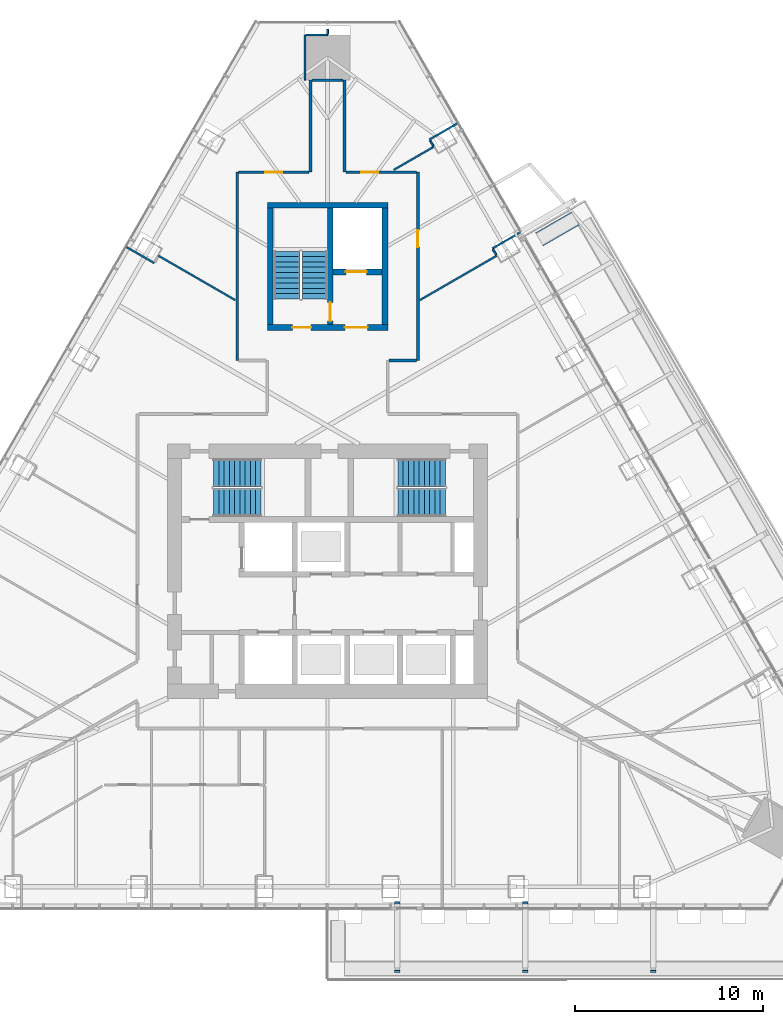
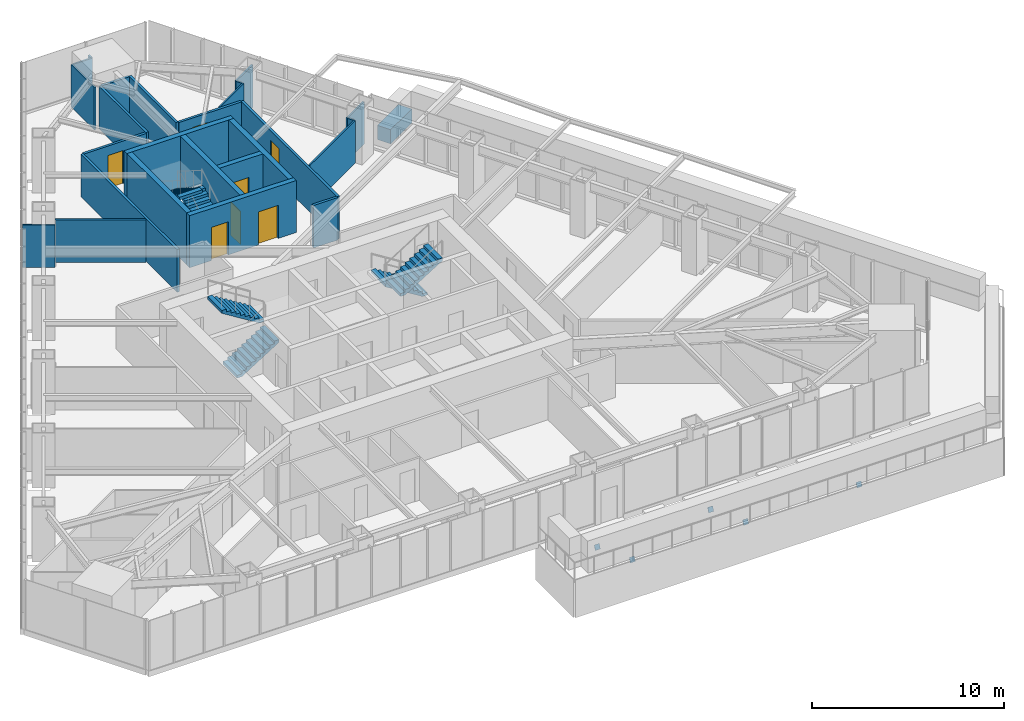
# One storey, part 13 of 17: 26 walls, 7 doors, 6 stair flights, 5 discrete accessories, 7 openings, 3 elements without a shape of their own.
"""IFC4 building model written with IfcOpenShell, lengths in metres."""

import ifcopenshell
import ifcopenshell.guid

model = None  # the IFC model being written
_history = None  # IfcOwnerHistory: only IFC2X3 demands one
_inside = {}  # id of a spatial element -> (the spatial element, [elements in it])
_under = {}  # id of a project, library or spatial element -> (it, [spatial elements below it])
_declared = {}  # id of a project -> (the project, [libraries it declares])
_typed = {}  # id of a type object -> (the type object, [elements of that type])
_made_of = {}  # id of a material, layer set ... -> (it, [elements and type objects made of it])


def new_model(schema):
    """Start an empty IFC model of exactly this schema.

    Asked for "IFC4X3", IfcOpenShell would pick the latest addendum, in which some entities
    have other attributes; the version numbers below select the first issue.
    IFC2X3 requires an IfcOwnerHistory on every rooted entity: one is made here for all.
    """
    global model, _history
    if schema == "IFC4X3":
        model = ifcopenshell.file(schema_version=(4, 3, 0, 0))
    else:
        model = ifcopenshell.file(schema=schema)
    _inside.clear()
    _under.clear()
    _declared.clear()
    _typed.clear()
    _made_of.clear()
    _history = None
    if model.schema == "IFC2X3":
        org = make("IfcOrganization", Name="unknown")
        user = make(
            "IfcPersonAndOrganization",
            ThePerson=make("IfcPerson", FamilyName="unknown"),
            TheOrganization=org,
        )
        app = make(
            "IfcApplication",
            ApplicationDeveloper=org,
            Version="unknown",
            ApplicationFullName="unknown",
            ApplicationIdentifier="unknown",
        )
        _history = make(
            "IfcOwnerHistory",
            OwningUser=user,
            OwningApplication=app,
            ChangeAction="ADDED",
            CreationDate=0,
        )
    return model


def make(cls, **values):
    """One entity of the class cls with the attributes given. An attribute that is None is left unset."""
    return model.create_entity(
        cls, **{name: value for name, value in values.items() if value is not None}
    )


def rooted(cls, **values):
    """An entity with a GlobalId (a new one), such as an element, a storey or a relation."""
    return make(cls, GlobalId=ifcopenshell.guid.new(), OwnerHistory=_history, **values)


def si_unit(unit_type, name, prefix=None):
    """IfcSIUnit, for example si_unit("LENGTHUNIT", "METRE", prefix="MILLI")."""
    return make("IfcSIUnit", UnitType=unit_type, Prefix=prefix, Name=name)


def assignment(units):
    """IfcUnitAssignment: the units of a project."""
    return None if units is None else make("IfcUnitAssignment", Units=units)


def point(xyz):
    """IfcCartesianPoint."""
    return None if xyz is None else make("IfcCartesianPoint", Coordinates=xyz)


def direction(xyz):
    """IfcDirection."""
    return None if xyz is None else make("IfcDirection", DirectionRatios=xyz)


def frame(location, z_axis=None, x_axis=None):
    """IfcAxis2Placement3D, a coordinate frame: its origin and axes. An axis left out is left unset."""
    return make(
        "IfcAxis2Placement3D",
        Location=point(location),
        Axis=direction(z_axis),
        RefDirection=direction(x_axis),
    )


def frame_2d(location, x_axis=None):
    """IfcAxis2Placement2D, a coordinate frame in the plane: its origin and x axis."""
    return make(
        "IfcAxis2Placement2D", Location=point(location), RefDirection=direction(x_axis)
    )


def origin():
    """The frame at (0, 0, 0) with its axes left unset."""
    return frame((0.0, 0.0, 0.0))


def place(relative_to, where):
    """IfcLocalPlacement: puts the frame where relative to a parent placement (None: the world)."""
    return make(
        "IfcLocalPlacement", PlacementRelTo=relative_to, RelativePlacement=where
    )


def context(
    kind, dimensions, precision=None, world=None, true_north=None, identifier=None
):
    """IfcGeometricRepresentationContext, for example the 3D "Model" context."""
    return make(
        "IfcGeometricRepresentationContext",
        ContextIdentifier=identifier,
        ContextType=kind,
        CoordinateSpaceDimension=dimensions,
        Precision=precision,
        WorldCoordinateSystem=world,
        TrueNorth=true_north,
    )


def subcontext(parent, identifier, kind, view, scale=None):
    """IfcGeometricRepresentationSubContext, for example "Body" below "Model"."""
    return make(
        "IfcGeometricRepresentationSubContext",
        ContextIdentifier=identifier,
        ContextType=kind,
        ParentContext=parent,
        TargetScale=scale,
        TargetView=view,
    )


def project(units=None, contexts=None):
    """IfcProject with its units and contexts."""
    return rooted(
        "IfcProject",
        Name="project",
        RepresentationContexts=contexts,
        UnitsInContext=assignment(units),
    )


def spatial(cls, under=None, at=None, **own):
    """A site, building, storey or space (cls), placed at a placement, below another one or the project."""
    s = rooted(cls, ObjectPlacement=at, **own)
    if under is not None:
        _under.setdefault(under.id(), (under, []))[1].append(s)
    return s


def polyline(points):
    """IfcPolyline through the points."""
    return make("IfcPolyline", Points=[point(p) for p in points])


def profile(cls, at=None, kind="AREA", **sizes):
    """A parametric profile (cls). Its sizes go by their IFC names, for example OverallWidth=200.0."""
    return make(cls, ProfileType=kind, Position=at, **sizes)


def rectangle(**sizes):
    """IfcRectangleProfileDef."""
    return profile("IfcRectangleProfileDef", **sizes)


def outline(outer, holes=None, kind="AREA"):
    """IfcArbitraryClosedProfileDef: a profile drawn as a closed curve; with holes, ...WithVoids."""
    if holes is None:
        return make("IfcArbitraryClosedProfileDef", ProfileType=kind, OuterCurve=outer)
    return make(
        "IfcArbitraryProfileDefWithVoids",
        ProfileType=kind,
        OuterCurve=outer,
        InnerCurves=holes,
    )


def extrude(swept, where, along, depth):
    """IfcExtrudedAreaSolid: the profile swept, set in the frame where, extruded along a direction by depth."""
    return make(
        "IfcExtrudedAreaSolid",
        SweptArea=swept,
        Position=where,
        ExtrudedDirection=direction(along),
        Depth=depth,
    )


def shape(context_of_items, identifier, shape_type, items):
    """IfcShapeRepresentation: the items that make up one representation, for example the "Body"."""
    return make(
        "IfcShapeRepresentation",
        ContextOfItems=context_of_items,
        RepresentationIdentifier=identifier,
        RepresentationType=shape_type,
        Items=items,
    )


def material(Name=None, Category=None):
    """IfcMaterial."""
    return make("IfcMaterial", Name=Name, Category=Category)


def layer(
    of_material, thickness, ventilated=None, Name=None, Category=None, Priority=None
):
    """IfcMaterialLayer: one layer of a wall or slab, of a material (None: an air gap)."""
    return make(
        "IfcMaterialLayer",
        Material=of_material,
        LayerThickness=thickness,
        IsVentilated=ventilated,
        Name=Name,
        Category=Category,
        Priority=Priority,
    )


def layer_set(layers, Name=None):
    """IfcMaterialLayerSet."""
    return make("IfcMaterialLayerSet", MaterialLayers=layers, LayerSetName=Name)


def made_of(thing, what):
    """Note that an element or type object is made of a material, layer set ...; save() writes the relation."""
    if what is not None:
        _made_of.setdefault(what.id(), (what, []))[1].append(thing)
    return thing


def type_object(cls, material=None, **own):
    """A type object (cls), such as IfcWallType, which elements share."""
    return made_of(rooted(cls, **own), material)


def element(
    cls,
    number,
    at=None,
    inside=None,
    cuts=None,
    type_object=None,
    material=None,
    context=None,
    identifier="Body",
    shape_type=None,
    held_by="IfcProductDefinitionShape",
    body=None,
    shapes=None,
    **own,
):
    """One element of the class cls, such as IfcWall. Its Tag is "e" and its number.

    at: its placement. inside: the storey or other place that contains it. cuts: it is an
    opening in that element (IfcRelVoidsElement). A single representation is given by context,
    identifier, shape_type and body (its items); several are given by shapes. held_by: the class
    of the entity that holds the representations. save() writes the other relations.
    """
    e = rooted(cls, Tag="e%d" % number, ObjectPlacement=at, **own)
    if body is not None:
        shapes = [shape(context, identifier, shape_type, body)]
    if shapes is not None:
        e.Representation = make(held_by, Representations=shapes)
    if inside is not None:
        _inside.setdefault(inside.id(), (inside, []))[1].append(e)
    if cuts is not None:
        rooted(
            "IfcRelVoidsElement", RelatingBuildingElement=cuts, RelatedOpeningElement=e
        )
    if type_object is not None:
        _typed.setdefault(type_object.id(), (type_object, []))[1].append(e)
    return made_of(e, material)


def fill(opening, filler):
    """IfcRelFillsElement: the door or window that sits in an opening."""
    return rooted(
        "IfcRelFillsElement",
        RelatingOpeningElement=opening,
        RelatedBuildingElement=filler,
    )


def aggregate(whole, parts):
    """IfcRelAggregates: a whole, such as a stair, and the parts it consists of."""
    return rooted("IfcRelAggregates", RelatingObject=whole, RelatedObjects=parts)


def save(model, path):
    """Write the relations noted so far, then the file.

    IfcRelAggregates (storeys below a building ...), IfcRelContainedInSpatialStructure (elements
    in a storey), IfcRelDefinesByType, IfcRelAssociatesMaterial and IfcRelDeclares: one each for
    every whole, place, type object, material and project.
    """
    for whole, parts in _under.values():
        aggregate(whole, parts)
    for where, things in _inside.values():
        rooted(
            "IfcRelContainedInSpatialStructure",
            RelatedElements=things,
            RelatingStructure=where,
        )
    for kind, things in _typed.values():
        rooted("IfcRelDefinesByType", RelatedObjects=things, RelatingType=kind)
    for what, things in _made_of.values():
        rooted("IfcRelAssociatesMaterial", RelatedObjects=things, RelatingMaterial=what)
    for by, libraries in _declared.values():
        rooted("IfcRelDeclares", RelatingContext=by, RelatedDefinitions=libraries)
    model.write(path)


model = new_model("IFC4")

# Units and contexts
model_context = context("Model", 3, precision=1e-05, world=origin(), true_north=direction((0.0, 1.0)))
body_context = subcontext(model_context, "Body", "Model", "MODEL_VIEW")
ifc_project = project(units=[si_unit("LENGTHUNIT", "METRE"), si_unit("AREAUNIT", "SQUARE_METRE"), si_unit("VOLUMEUNIT", "CUBIC_METRE"), si_unit("PLANEANGLEUNIT", "RADIAN"), si_unit("MASSUNIT", "GRAM", prefix="KILO")], contexts=[model_context])

# Site, building, storey
site_placement = place(None, origin())
site = spatial("IfcSite", under=ifc_project, at=site_placement, CompositionType="ELEMENT")
building_placement = place(site_placement, origin())
building = spatial("IfcBuilding", under=site, at=building_placement, Name="Firuza Gate Tower and Library", CompositionType="ELEMENT")
storey_placement = place(building_placement, frame((0.0, 0.0, 263.60009765625)))
storey = spatial("IfcBuildingStorey", under=building, at=storey_placement, Name="L62", CompositionType="ELEMENT", Elevation=263.60009765625)

# Wall, openings, doors
ifc_material_1 = material(Name="Concrete C60/75", Category="concrete")
ifc_layer_1 = layer(ifc_material_1, 0.300048828125)
ifc_layer_set_1 = layer_set([ifc_layer_1], Name="Core wall 300 C60/75")
wall_type_1 = type_object("IfcWallType", Name="Core wall 300 C60/75", PredefinedType="SHEAR", material=ifc_layer_set_1)
wall_1_placement = place(storey_placement, frame((71.800048828125, 87.949951171875, 0.0), z_axis=(0.0, 0.0, 1.0), x_axis=(1.0, 0.0, 0.0)))
wall_1 = element("IfcWall", 1, at=wall_1_placement, inside=storey, type_object=wall_type_1, Name="Core wall L62 18", PredefinedType="SHEAR", context=body_context, shape_type="SweptSolid", body=[
    extrude(rectangle(XDim=6.39990234375, YDim=0.300048828125, at=frame_2d((3.199951171875, 0.0))), origin(), (0.0, 0.0, 1.0), 3.2998046875),
])
opening_1_placement = place(wall_1_placement, frame((1.324951171875, 0.0, 0.0)))
opening_1 = element("IfcOpeningElement", 2, at=opening_1_placement, cuts=wall_1, Name="Opening L62-K11", PredefinedType="OPENING", context=body_context, shape_type="SweptSolid", body=[
    extrude(rectangle(XDim=1.0, YDim=2.10009765625, at=frame_2d((0.5, 1.050048828125))), frame((0.0, 0.16015625, 0.0), z_axis=(0.0, -1.0, 0.0), x_axis=(1.0, 0.0, 0.0)), (0.0, 0.0, 1.0), 0.320068359375),
])
opening_2_placement = place(wall_1_placement, frame((4.125, 0.0, 0.0)))
opening_2 = element("IfcOpeningElement", 3, at=opening_2_placement, cuts=wall_1, Name="Opening L62-K13", PredefinedType="OPENING", context=body_context, shape_type="SweptSolid", body=[
    extrude(rectangle(XDim=1.199951171875, YDim=2.10009765625, at=frame_2d((0.60009765625, 1.050048828125))), frame((0.0, 0.16015625, 0.0), z_axis=(0.0, -1.0, 0.0), x_axis=(1.0, 0.0, 0.0)), (0.0, 0.0, 1.0), 0.320068359375),
])
ifc_material_2 = material(Name="Steel", Category="steel")
door_type_1 = type_object("IfcDoorType", Name="Fire door 1000x2100 FD90", OperationType="NOTDEFINED", PredefinedType="DOOR", material=ifc_material_2)
door_1_placement = place(opening_1_placement, origin())
door_1 = element("IfcDoor", 4, at=door_1_placement, inside=storey, type_object=door_type_1, Name="Door L62-K11", OperationType="SINGLE_SWING_RIGHT", OverallHeight=2.10009765625, OverallWidth=1.0, PredefinedType="DOOR", context=body_context, shape_type="SweptSolid", body=[
    extrude(rectangle(XDim=1.0, YDim=2.10009765625, at=frame_2d((0.5, 1.050048828125))), frame((0.0, 0.02490234375, 0.0), z_axis=(0.0, -1.0, 0.0), x_axis=(1.0, 0.0, 0.0)), (0.0, 0.0, 1.0), 0.050048828125),
])
fill(opening_1, door_1)
ifc_material_3 = material(Name="Steel", Category="steel")
door_type_2 = type_object("IfcDoorType", Name="Fire door 1200x2100 FD30S", OperationType="NOTDEFINED", PredefinedType="DOOR", material=ifc_material_3)
door_2_placement = place(opening_2_placement, origin())
door_2 = element("IfcDoor", 5, at=door_2_placement, inside=storey, type_object=door_type_2, Name="Door L62-K13", OperationType="SINGLE_SWING_RIGHT", OverallHeight=2.10009765625, OverallWidth=1.199951171875, PredefinedType="DOOR", context=body_context, shape_type="SweptSolid", body=[
    extrude(rectangle(XDim=1.199951171875, YDim=2.10009765625, at=frame_2d((0.60009765625, 1.050048828125))), frame((0.0, 0.02490234375, 0.0), z_axis=(0.0, -1.0, 0.0), x_axis=(1.0, 0.0, 0.0)), (0.0, 0.0, 1.0), 0.050048828125),
])
fill(opening_2, door_2)

# Walls
wall_2_placement = place(storey_placement, frame((71.800048828125, 94.449951171875, 0.0), z_axis=(0.0, 0.0, 1.0), x_axis=(1.0, 0.0, 0.0)))
element("IfcWall", 6, at=wall_2_placement, inside=storey, type_object=wall_type_1, Name="Core wall L62 19", PredefinedType="SHEAR", context=body_context, shape_type="SweptSolid", body=[
    extrude(rectangle(XDim=6.39990234375, YDim=0.300048828125, at=frame_2d((3.199951171875, 0.0))), origin(), (0.0, 0.0, 1.0), 3.2998046875),
])
for number, where, z_axis, x_axis, name in (
    (7, (71.949951171875, 88.10009765625, 0.0), (0.0, 0.0, 1.0), (0.0, 1.0, 0.0), "Core wall L62 20"),
    (8, (78.050048828125, 88.10009765625, 0.0), (0.0, 0.0, 1.0), (0.0, 1.0, 0.0), "Core wall L62 21"),
):
    element("IfcWall", number, at=place(storey_placement, frame(where, z_axis=z_axis, x_axis=x_axis)), inside=storey, type_object=wall_type_1, Name=name, PredefinedType="SHEAR", context=body_context, shape_type="SweptSolid", body=[
        extrude(rectangle(XDim=6.199951171875, YDim=0.300048828125, at=frame_2d((3.10009765625, 0.0))), origin(), (0.0, 0.0, 1.0), 3.2998046875),
    ])

# Wall, opening, door
wall_3_placement = place(storey_placement, frame((75.300048828125, 90.89990234375, 0.0), z_axis=(0.0, 0.0, 1.0), x_axis=(1.0, 0.0, 0.0)))
wall_3 = element("IfcWall", 9, at=wall_3_placement, inside=storey, type_object=wall_type_1, Name="Core wall L62 22", PredefinedType="SHEAR", context=body_context, shape_type="SweptSolid", body=[
    extrude(rectangle(XDim=2.599853515625, YDim=0.300048828125, at=frame_2d((1.2998046875, 0.0))), origin(), (0.0, 0.0, 1.0), 3.2998046875),
])
opening_3_placement = place(wall_3_placement, frame((0.675048828125, 0.0, 0.0)))
opening_3 = element("IfcOpeningElement", 10, at=opening_3_placement, cuts=wall_3, Name="Opening LD-SV1-L62", PredefinedType="OPENING", context=body_context, shape_type="SweptSolid", body=[
    extrude(rectangle(XDim=1.10009765625, YDim=2.10009765625, at=frame_2d((0.550048828125, 1.050048828125))), frame((0.0, 0.16015625, 0.0), z_axis=(0.0, -1.0, 0.0), x_axis=(1.0, 0.0, 0.0)), (0.0, 0.0, 1.0), 0.320068359375),
])
ifc_material_4 = material(Name="Stainless steel", Category="steel")
door_type_3 = type_object("IfcDoorType", Name="Lift landing door 1100x2100", OperationType="DOUBLE_DOOR_SLIDING", PredefinedType="DOOR", material=ifc_material_4)
door_3_placement = place(opening_3_placement, origin())
door_3 = element("IfcDoor", 11, at=door_3_placement, inside=storey, type_object=door_type_3, Name="Landing door SV1 L62", OperationType="DOUBLE_DOOR_SLIDING", OverallHeight=2.10009765625, OverallWidth=1.10009765625, PredefinedType="DOOR", context=body_context, shape_type="SweptSolid", body=[
    extrude(rectangle(XDim=1.10009765625, YDim=2.10009765625, at=frame_2d((0.550048828125, 1.050048828125))), frame((0.0, 0.02490234375, 0.0), z_axis=(0.0, -1.0, 0.0), x_axis=(1.0, 0.0, 0.0)), (0.0, 0.0, 1.0), 0.050048828125),
])
fill(opening_3, door_3)

wall_4_placement = place(storey_placement, frame((75.14990234375, 88.10009765625, 0.0), z_axis=(0.0, 0.0, 1.0), x_axis=(0.0, 1.0, 0.0)))
wall_4 = element("IfcWall", 12, at=wall_4_placement, inside=storey, type_object=wall_type_1, Name="Core wall L62 23", PredefinedType="SHEAR", context=body_context, shape_type="SweptSolid", body=[
    extrude(rectangle(XDim=6.199951171875, YDim=0.300048828125, at=frame_2d((3.10009765625, 0.0))), origin(), (0.0, 0.0, 1.0), 3.2998046875),
])
opening_4_placement = place(wall_4_placement, frame((0.18505859375, 0.0, 0.0)))
opening_4 = element("IfcOpeningElement", 13, at=opening_4_placement, cuts=wall_4, Name="Opening L62-K12", PredefinedType="OPENING", context=body_context, shape_type="SweptSolid", body=[
    extrude(rectangle(XDim=1.0, YDim=2.10009765625, at=frame_2d((0.5, 1.050048828125))), frame((0.0, 0.16015625, 0.0), z_axis=(0.0, -1.0, 0.0), x_axis=(1.0, 0.0, 0.0)), (0.0, 0.0, 1.0), 0.320068359375),
])
door_4_placement = place(opening_4_placement, origin())
door_4 = element("IfcDoor", 14, at=door_4_placement, inside=storey, type_object=door_type_1, Name="Door L62-K12", OperationType="SINGLE_SWING_LEFT", OverallHeight=2.10009765625, OverallWidth=1.0, PredefinedType="DOOR", context=body_context, shape_type="SweptSolid", body=[
    extrude(rectangle(XDim=1.0, YDim=2.10009765625, at=frame_2d((0.5, 1.050048828125))), frame((0.0, 0.02490234375, 0.0), z_axis=(0.0, -1.0, 0.0), x_axis=(1.0, 0.0, 0.0)), (0.0, 0.0, 1.0), 0.050048828125),
])
fill(opening_4, door_4)

# Wall
ifc_material_5 = material(Name="Gypsum board partition")
ifc_layer_2 = layer(ifc_material_5, 0.14990234375)
ifc_layer_set_2 = layer_set([ifc_layer_2], Name="Corridor wall 150 double board on steel studs")
wall_type_2 = type_object("IfcWallType", Name="Corridor wall 150 double board on steel studs", PredefinedType="PARTITIONING", material=ifc_layer_set_2)
wall_5_placement = place(storey_placement, frame((78.27490234375, 86.199951171875, 0.0), z_axis=(0.0, 0.0, 1.0), x_axis=(1.0, 0.0, 0.0)))
element("IfcWall", 15, at=wall_5_placement, inside=storey, type_object=wall_type_2, Name="f:L62:w007", PredefinedType="PARTITIONING", context=body_context, shape_type="SweptSolid", body=[
    extrude(rectangle(XDim=1.44970703125, YDim=0.14990234375, at=frame_2d((0.724853515625, 0.0))), origin(), (0.0, 0.0, 1.0), 2.699951171875),
])

# Wall, opening, door
wall_6_placement = place(storey_placement, frame((70.275390625, 96.199951171875, 0.0), z_axis=(0.0, 0.0, 1.0), x_axis=(1.0, 0.0, 0.0)))
wall_6 = element("IfcWall", 16, at=wall_6_placement, inside=storey, type_object=wall_type_2, Name="f:L62:w008", PredefinedType="PARTITIONING", context=body_context, shape_type="SweptSolid", body=[
    extrude(rectangle(XDim=3.74951171875, YDim=0.14990234375, at=frame_2d((1.874755859375, 0.0))), origin(), (0.0, 0.0, 1.0), 2.699951171875),
])
opening_5_placement = place(wall_6_placement, frame((1.4248046875, 0.0, 0.0)))
opening_5 = element("IfcOpeningElement", 17, at=opening_5_placement, cuts=wall_6, Name="Opening L62-06", PredefinedType="OPENING", context=body_context, shape_type="SweptSolid", body=[
    extrude(rectangle(XDim=0.89990234375, YDim=2.10009765625, at=frame_2d((0.449951171875, 1.050048828125))), frame((0.0, 0.0849609375, 0.0), z_axis=(0.0, -1.0, 0.0), x_axis=(1.0, 0.0, 0.0)), (0.0, 0.0, 1.0), 0.169921875),
])
ifc_material_6 = material(Name="Steel door and timber leaf", Category="steel")
door_type_4 = type_object("IfcDoorType", Name="Fire door 900 x 2100 steel frame, timber leaf", OperationType="NOTDEFINED", PredefinedType="DOOR", material=ifc_material_6)
door_5_placement = place(opening_5_placement, origin())
door_5 = element("IfcDoor", 18, at=door_5_placement, inside=storey, type_object=door_type_4, Name="f:L62:d006", OperationType="SINGLE_SWING_RIGHT", OverallHeight=2.10009765625, OverallWidth=0.89990234375, PredefinedType="DOOR", context=body_context, shape_type="SweptSolid", body=[
    extrude(rectangle(XDim=0.89990234375, YDim=2.10009765625, at=frame_2d((0.449951171875, 1.050048828125))), frame((0.0, 0.02490234375, 0.0), z_axis=(0.0, -1.0, 0.0), x_axis=(1.0, 0.0, 0.0)), (0.0, 0.0, 1.0), 0.050048828125),
])
fill(opening_5, door_5)

wall_7_placement = place(storey_placement, frame((75.97509765625, 96.199951171875, 0.0), z_axis=(0.0, 0.0, 1.0), x_axis=(1.0, 0.0, 0.0)))
wall_7 = element("IfcWall", 19, at=wall_7_placement, inside=storey, type_object=wall_type_2, Name="f:L62:w009", PredefinedType="PARTITIONING", context=body_context, shape_type="SweptSolid", body=[
    extrude(rectangle(XDim=3.74951171875, YDim=0.14990234375, at=frame_2d((1.874755859375, 0.0))), origin(), (0.0, 0.0, 1.0), 2.699951171875),
])
opening_6_placement = place(wall_7_placement, frame((0.818603515625, 0.0, 0.0)))
opening_6 = element("IfcOpeningElement", 20, at=opening_6_placement, cuts=wall_7, Name="Opening L62-07", PredefinedType="OPENING", context=body_context, shape_type="SweptSolid", body=[
    extrude(rectangle(XDim=0.89990234375, YDim=2.10009765625, at=frame_2d((0.449951171875, 1.050048828125))), frame((0.0, 0.0849609375, 0.0), z_axis=(0.0, -1.0, 0.0), x_axis=(1.0, 0.0, 0.0)), (0.0, 0.0, 1.0), 0.169921875),
])
door_6_placement = place(opening_6_placement, origin())
door_6 = element("IfcDoor", 21, at=door_6_placement, inside=storey, type_object=door_type_4, Name="f:L62:d007", OperationType="SINGLE_SWING_LEFT", OverallHeight=2.10009765625, OverallWidth=0.89990234375, PredefinedType="DOOR", context=body_context, shape_type="SweptSolid", body=[
    extrude(rectangle(XDim=0.89990234375, YDim=2.10009765625, at=frame_2d((0.449951171875, 1.050048828125))), frame((0.0, 0.02490234375, 0.0), z_axis=(0.0, -1.0, 0.0), x_axis=(1.0, 0.0, 0.0)), (0.0, 0.0, 1.0), 0.050048828125),
])
fill(opening_6, door_6)

# Wall
wall_8_placement = place(storey_placement, frame((74.180419921875, 101.0859375, 0.0), z_axis=(0.0, 0.0, 1.0), x_axis=(1.0, 0.0, 0.0)))
element("IfcWall", 22, at=wall_8_placement, inside=storey, type_object=wall_type_2, Name="f:L62:w010", PredefinedType="PARTITIONING", context=body_context, shape_type="SweptSolid", body=[
    extrude(rectangle(XDim=1.64404296875, YDim=0.14990234375, at=frame_2d((0.822021484375, 0.0))), origin(), (0.0, 0.0, 1.0), 2.697021484375),
])

# Wall, opening, door
wall_9_placement = place(storey_placement, frame((79.800048828125, 96.199462890625, 0.0), z_axis=(0.0, 0.0, 1.0), x_axis=(0.0, -1.0, 0.0)))
wall_9 = element("IfcWall", 23, at=wall_9_placement, inside=storey, type_object=wall_type_2, Name="f:L62:w034", PredefinedType="PARTITIONING", context=body_context, shape_type="SweptSolid", body=[
    extrude(rectangle(XDim=9.9990234375, YDim=0.14990234375, at=frame_2d((4.99951171875, 0.0))), origin(), (0.0, 0.0, 1.0), 2.699951171875),
])
opening_7_placement = place(wall_9_placement, frame((3.078369140625, 0.0, 0.0)))
opening_7 = element("IfcOpeningElement", 24, at=opening_7_placement, cuts=wall_9, Name="Opening L62-16", PredefinedType="OPENING", context=body_context, shape_type="SweptSolid", body=[
    extrude(rectangle(XDim=0.89990234375, YDim=2.10009765625, at=frame_2d((0.449951171875, 1.050048828125))), frame((0.0, 0.0849609375, 0.0), z_axis=(0.0, -1.0, 0.0), x_axis=(1.0, 0.0, 0.0)), (0.0, 0.0, 1.0), 0.169921875),
])
door_7_placement = place(opening_7_placement, origin())
door_7 = element("IfcDoor", 25, at=door_7_placement, inside=storey, type_object=door_type_4, Name="f:L62:d016", OperationType="SINGLE_SWING_LEFT", OverallHeight=2.10009765625, OverallWidth=0.89990234375, PredefinedType="DOOR", context=body_context, shape_type="SweptSolid", body=[
    extrude(rectangle(XDim=0.89990234375, YDim=2.10009765625, at=frame_2d((0.449951171875, 1.050048828125))), frame((0.0, 0.02490234375, 0.0), z_axis=(0.0, -1.0, 0.0), x_axis=(1.0, 0.0, 0.0)), (0.0, 0.0, 1.0), 0.050048828125),
])
fill(opening_7, door_7)

# Walls
wall_10_placement = place(storey_placement, frame((75.89990234375, 96.199951171875, 0.0), z_axis=(0.0, 0.0, 1.0), x_axis=(0.0, 1.0, 0.0)))
element("IfcWall", 26, at=wall_10_placement, inside=storey, type_object=wall_type_2, Name="f:L62:w036", PredefinedType="PARTITIONING", context=body_context, shape_type="SweptSolid", body=[
    extrude(rectangle(XDim=4.8857421875, YDim=0.14990234375, at=frame_2d((2.44287109375, 0.0))), origin(), (0.0, 0.0, 1.0), 2.699951171875),
])
wall_11_placement = place(storey_placement, frame((74.10009765625, 96.199951171875, 0.0), z_axis=(0.0, 0.0, 1.0), x_axis=(0.0, 1.0, 0.0)))
element("IfcWall", 27, at=wall_11_placement, inside=storey, type_object=wall_type_2, Name="f:L62:w038", PredefinedType="PARTITIONING", context=body_context, shape_type="SweptSolid", body=[
    extrude(rectangle(XDim=4.88623046875, YDim=0.14990234375, at=frame_2d((2.443115234375, 0.0))), origin(), (0.0, 0.0, 1.0), 2.699951171875),
])
wall_12_placement = place(storey_placement, frame((70.199951171875, 86.201904296875, 0.0), z_axis=(0.0, 0.0, 1.0), x_axis=(0.0, 1.0, 0.0)))
element("IfcWall", 28, at=wall_12_placement, inside=storey, type_object=wall_type_2, Name="f:L62:w044", PredefinedType="PARTITIONING", context=body_context, shape_type="SweptSolid", body=[
    extrude(rectangle(XDim=9.99755859375, YDim=0.14990234375, at=frame_2d((4.998779296875, 0.0))), origin(), (0.0, 0.0, 1.0), 2.699951171875),
])
ifc_material_7 = material(Name="Gypsum board partition")
ifc_layer_3 = layer(ifc_material_7, 0.10009765625)
ifc_layer_set_3 = layer_set([ifc_layer_3], Name="Partition 100 gypsum board on steel studs")
wall_type_3 = type_object("IfcWallType", Name="Partition 100 gypsum board on steel studs", PredefinedType="PARTITIONING", material=ifc_layer_set_3)
wall_13_placement = place(storey_placement, frame((73.8505859375, 103.486083984375, 0.0), z_axis=(0.0, 0.0, 1.0), x_axis=(1.0, 0.0, 0.0)))
element("IfcWall", 29, at=wall_13_placement, inside=storey, type_object=wall_type_3, Name="f:L62:w011", PredefinedType="PARTITIONING", context=body_context, shape_type="SweptSolid", body=[
    extrude(rectangle(XDim=1.1494140625, YDim=0.10009765625, at=frame_2d((0.57470703125, 0.0))), origin(), (0.0, 0.0, 1.0), 2.699951171875),
])
wall_14_placement = place(storey_placement, frame((79.90087890625, 89.404296875, 0.0), z_axis=(0.0, 0.0, 1.0), x_axis=(0.866026044032, 0.499998891056, 0.0)))
element("IfcWall", 30, at=wall_14_placement, inside=storey, type_object=wall_type_3, Name="f:L62:w021", PredefinedType="PARTITIONING", context=body_context, shape_type="SweptSolid", body=[
    extrude(rectangle(XDim=4.71435546875, YDim=0.10009765625, at=frame_2d((2.357177734375, 0.0))), origin(), (0.0, 0.0, 1.0), 2.699951171875),
])
wall_15_placement = place(storey_placement, frame((83.759033203125, 92.1513671875, 0.0), z_axis=(0.0, 0.0, 1.0), x_axis=(0.865979829179, 0.500078929226, 0.0)))
element("IfcWall", 31, at=wall_15_placement, inside=storey, type_object=wall_type_3, Name="f:L62:w022", PredefinedType="PARTITIONING", context=body_context, shape_type="SweptSolid", body=[
    extrude(rectangle(XDim=1.699462890625, YDim=0.10009765625, at=frame_2d((0.849609375, 0.0))), origin(), (0.0, 0.0, 1.0), 2.699951171875),
])
wall_16_placement = place(storey_placement, frame((78.513671875, 96.3203125, 0.0), z_axis=(0.0, 0.0, 1.0), x_axis=(0.866040013382, 0.499974694581, 0.0)))
element("IfcWall", 32, at=wall_16_placement, inside=storey, type_object=wall_type_3, Name="f:L62:w023", PredefinedType="PARTITIONING", context=body_context, shape_type="SweptSolid", body=[
    extrude(rectangle(XDim=2.457763671875, YDim=0.10009765625, at=frame_2d((1.22900390625, 0.0))), origin(), (0.0, 0.0, 1.0), 2.699951171875),
])
wall_17_placement = place(storey_placement, frame((80.41748046875, 97.939208984375, 0.0), z_axis=(0.0, 0.0, 1.0), x_axis=(0.866077946534, 0.499908982242, 0.0)))
element("IfcWall", 33, at=wall_17_placement, inside=storey, type_object=wall_type_3, Name="f:L62:w024", PredefinedType="PARTITIONING", context=body_context, shape_type="SweptSolid", body=[
    extrude(rectangle(XDim=1.699462890625, YDim=0.10009765625, at=frame_2d((0.849609375, 0.0))), origin(), (0.0, 0.0, 1.0), 2.699951171875),
])
wall_18_placement = place(storey_placement, frame((75.0, 103.5361328125, 0.0), z_axis=(0.0, 0.0, 1.0), x_axis=(0.0, 1.0, 0.0)))
element("IfcWall", 34, at=wall_18_placement, inside=storey, type_object=wall_type_3, Name="f:L62:w037", PredefinedType="PARTITIONING", context=body_context, shape_type="SweptSolid", body=[
    extrude(rectangle(XDim=0.25, YDim=0.10009765625, at=frame_2d((0.125, 0.0))), origin(), (0.0, 0.0, 1.0), 2.699951171875),
])
wall_19_placement = place(storey_placement, frame((73.800048828125, 101.086669921875, 0.0), z_axis=(0.0, 0.0, 1.0), x_axis=(0.0, 1.0, 0.0)))
element("IfcWall", 35, at=wall_19_placement, inside=storey, type_object=wall_type_3, Name="f:L62:w039", PredefinedType="PARTITIONING", context=body_context, shape_type="SweptSolid", body=[
    extrude(rectangle(XDim=2.39892578125, YDim=0.10009765625, at=frame_2d((1.199462890625, 0.0))), origin(), (0.0, 0.0, 1.0), 2.699951171875),
])
for number, where, z_axis, x_axis, name in (
    (36, (83.953857421875, 91.8134765625, 0.0), (0.0, 0.0, 1.0), (-0.499618727529, 0.866245419672, 0.0), "f:L62:w050"),
    (37, (80.612548828125, 97.600830078125, 0.0), (0.0, 0.0, 1.0), (-0.499618727529, 0.866245419672, 0.0), "f:L62:w051"),
):
    element("IfcWall", number, at=place(storey_placement, frame(where, z_axis=z_axis, x_axis=x_axis)), inside=storey, type_object=wall_type_3, Name=name, PredefinedType="PARTITIONING", context=body_context, shape_type="SweptSolid", body=[
        extrude(rectangle(XDim=0.339599609375, YDim=0.10009765625, at=frame_2d((0.169921875, 0.0))), origin(), (0.0, 0.0, 1.0), 2.699951171875),
    ])
wall_20_placement = place(storey_placement, frame((70.09912109375, 89.404296875, 0.0), z_axis=(0.0, 0.0, 1.0), x_axis=(-0.866026044032, 0.499998891056, 0.0)))
element("IfcWall", 38, at=wall_20_placement, inside=storey, type_object=wall_type_3, Name="f:L62:w054", PredefinedType="PARTITIONING", context=body_context, shape_type="SweptSolid", body=[
    extrude(rectangle(XDim=4.71435546875, YDim=0.10009765625, at=frame_2d((2.357177734375, 0.0))), origin(), (0.0, 0.0, 1.0), 2.699951171875),
])
wall_21_placement = place(storey_placement, frame((65.789794921875, 91.372802734375, 0.0), z_axis=(0.0, 0.0, 1.0), x_axis=(-0.866085039529, 0.499896693632, 0.0)))
element("IfcWall", 39, at=wall_21_placement, inside=storey, type_object=wall_type_3, Name="f:L62:w055", PredefinedType="PARTITIONING", context=body_context, shape_type="SweptSolid", body=[
    extrude(rectangle(XDim=1.697998046875, YDim=0.10009765625, at=frame_2d((0.84912109375, 0.0))), origin(), (0.0, 0.0, 1.0), 2.68798828125),
])
ifc_material_8 = material(Name="Concrete C40/50", Category="concrete")
ifc_layer_4 = layer(ifc_material_8, 0.800048828125)
ifc_layer_set_4 = layer_set([ifc_layer_4], Name="Planter wall 800")
wall_type_4 = type_object("IfcWallType", Name="Planter wall 800", PredefinedType="SOLIDWALL", material=ifc_layer_set_4)
wall_22_placement = place(storey_placement, frame((88.156005859375, 93.734375, 0.0), z_axis=(0.0, 0.0, 1.0), x_axis=(-0.866028486751, -0.499994660107, 0.0)))
element("IfcWall", 40, at=wall_22_placement, inside=storey, type_object=wall_type_4, Name="PLANTER L62 5", PredefinedType="SOLIDWALL", context=body_context, shape_type="SweptSolid", body=[
    extrude(rectangle(XDim=2.19970703125, YDim=0.800048828125, at=frame_2d((1.099853515625, 0.0))), origin(), (0.0, 0.0, 1.0), 0.89990234375),
])

# Stair, stair flights
ifc_material_9 = material(Name="Concrete C35/45", Category="concrete")
stair_type_1 = type_object("IfcStairType", Name="Exit stair ST17", PredefinedType="HALF_TURN_STAIR", material=ifc_material_9)
placement = place(storey_placement, origin())
stair_1 = element("IfcStair", 41, at=placement, inside=storey, type_object=stair_type_1, Name="L62 Stair ST3", PredefinedType="HALF_TURN_STAIR")
ifc_material_10 = material(Name="Concrete C35/45", Category="concrete")
stair_flight_type_1 = type_object("IfcStairFlightType", Name="Stair flight 10 risers 175 width 1370", PredefinedType="STRAIGHT", material=ifc_material_10)
stair_flight_1_placement = place(storey_placement, frame((74.31494140625, 89.469970703125, 0.0), z_axis=(0.0, 0.0, 1.0), x_axis=(0.0, 1.0, 0.0)))
stair_flight_1 = element("IfcStairFlight", 42, at=stair_flight_1_placement, type_object=stair_flight_type_1, Name="ST3 flight 1", NumberOfRisers=10, NumberOfTreads=9, PredefinedType="STRAIGHT", RiserHeight=0.175, TreadLength=0.28, context=body_context, shape_type="SweptSolid", body=[
    extrude(outline(polyline([(0.0, 0.0), (0.0, 0.175048828125), (0.280029296875, 0.175048828125), (0.280029296875, 0.35009765625), (0.56005859375, 0.35009765625), (0.56005859375, 0.52490234375), (0.840087890625, 0.52490234375), (0.840087890625, 0.699951171875), (1.1201171875, 0.699951171875), (1.1201171875, 0.875), (1.39990234375, 0.875), (1.39990234375, 1.050048828125), (1.679931640625, 1.050048828125), (1.679931640625, 1.22509765625), (1.9599609375, 1.22509765625), (1.9599609375, 1.39990234375), (2.239990234375, 1.39990234375), (2.239990234375, 1.574951171875), (2.52001953125, 1.574951171875), (2.52001953125, 1.75), (2.52001953125, 1.398193359375), (0.28271484375, 0.0), (0.0, 0.0)])), frame((0.0, 0.68505859375, 0.0), z_axis=(0.0, -1.0, 0.0), x_axis=(1.0, 0.0, 0.0)), (0.0, 0.0, 1.0), 1.3701171875),
])
stair_flight_2_placement = place(storey_placement, frame((72.844970703125, 91.989990234375, 1.75), z_axis=(0.0, 0.0, 1.0), x_axis=(0.0, -1.0, 0.0)))
stair_flight_2 = element("IfcStairFlight", 43, at=stair_flight_2_placement, type_object=stair_flight_type_1, Name="ST3 flight 2", NumberOfRisers=10, NumberOfTreads=9, PredefinedType="STRAIGHT", RiserHeight=0.175, TreadLength=0.28, context=body_context, shape_type="SweptSolid", body=[
    extrude(outline(polyline([(0.0, 0.0), (0.0, 0.175048828125), (0.280029296875, 0.175048828125), (0.280029296875, 0.35009765625), (0.56005859375, 0.35009765625), (0.56005859375, 0.52490234375), (0.840087890625, 0.52490234375), (0.840087890625, 0.699951171875), (1.1201171875, 0.699951171875), (1.1201171875, 0.875), (1.39990234375, 0.875), (1.39990234375, 1.050048828125), (1.679931640625, 1.050048828125), (1.679931640625, 1.22509765625), (1.9599609375, 1.22509765625), (1.9599609375, 1.39990234375), (2.239990234375, 1.39990234375), (2.239990234375, 1.574951171875), (2.52001953125, 1.574951171875), (2.52001953125, 1.75), (2.52001953125, 1.398193359375), (0.28271484375, 0.0), (0.0, 0.0)])), frame((0.0, 0.68505859375, 0.0), z_axis=(0.0, -1.0, 0.0), x_axis=(1.0, 0.0, 0.0)), (0.0, 0.0, 1.0), 1.3701171875),
])
aggregate(stair_1, [stair_flight_1, stair_flight_2])

ifc_material_11 = material(Name="Concrete C35/45", Category="concrete")
stair_type_2 = type_object("IfcStairType", Name="Exit stair ST8", PredefinedType="HALF_TURN_STAIR", material=ifc_material_11)
stair_2 = element("IfcStair", 44, at=placement, inside=storey, type_object=stair_type_2, Name="L62 Stair ST1", PredefinedType="HALF_TURN_STAIR")
ifc_material_12 = material(Name="Concrete C35/45", Category="concrete")
stair_flight_type_2 = type_object("IfcStairFlightType", Name="Stair flight 10 risers 175 width 1490", PredefinedType="STRAIGHT", material=ifc_material_12)
stair_flight_3_placement = place(storey_placement, frame((68.93994140625, 78.64501953125, 0.0), z_axis=(0.0, 0.0, 1.0), x_axis=(1.0, 0.0, 0.0)))
stair_flight_3 = element("IfcStairFlight", 45, at=stair_flight_3_placement, type_object=stair_flight_type_2, Name="ST1 flight 1", NumberOfRisers=10, NumberOfTreads=9, PredefinedType="STRAIGHT", RiserHeight=0.175, TreadLength=0.28, context=body_context, shape_type="SweptSolid", body=[
    extrude(outline(polyline([(0.0, 0.0), (0.0, 0.175048828125), (0.280029296875, 0.175048828125), (0.280029296875, 0.35009765625), (0.56005859375, 0.35009765625), (0.56005859375, 0.52490234375), (0.840087890625, 0.52490234375), (0.840087890625, 0.699951171875), (1.1201171875, 0.699951171875), (1.1201171875, 0.875), (1.39990234375, 0.875), (1.39990234375, 1.050048828125), (1.679931640625, 1.050048828125), (1.679931640625, 1.22509765625), (1.9599609375, 1.22509765625), (1.9599609375, 1.39990234375), (2.239990234375, 1.39990234375), (2.239990234375, 1.574951171875), (2.52001953125, 1.574951171875), (2.52001953125, 1.75), (2.52001953125, 1.398193359375), (0.28271484375, 0.0), (0.0, 0.0)])), frame((0.0, 0.7451171875, 0.0), z_axis=(0.0, -1.0, 0.0), x_axis=(1.0, 0.0, 0.0)), (0.0, 0.0, 1.0), 1.489990234375),
])
stair_flight_4_placement = place(storey_placement, frame((71.4599609375, 80.235107421875, 1.75), z_axis=(0.0, 0.0, 1.0), x_axis=(-1.0, 0.0, 0.0)))
stair_flight_4 = element("IfcStairFlight", 46, at=stair_flight_4_placement, type_object=stair_flight_type_2, Name="ST1 flight 2", NumberOfRisers=10, NumberOfTreads=9, PredefinedType="STRAIGHT", RiserHeight=0.175, TreadLength=0.28, context=body_context, shape_type="SweptSolid", body=[
    extrude(outline(polyline([(0.0, 0.0), (0.0, 0.175048828125), (0.280029296875, 0.175048828125), (0.280029296875, 0.35009765625), (0.56005859375, 0.35009765625), (0.56005859375, 0.52490234375), (0.840087890625, 0.52490234375), (0.840087890625, 0.699951171875), (1.1201171875, 0.699951171875), (1.1201171875, 0.875), (1.39990234375, 0.875), (1.39990234375, 1.050048828125), (1.679931640625, 1.050048828125), (1.679931640625, 1.22509765625), (1.9599609375, 1.22509765625), (1.9599609375, 1.39990234375), (2.239990234375, 1.39990234375), (2.239990234375, 1.574951171875), (2.52001953125, 1.574951171875), (2.52001953125, 1.75), (2.52001953125, 1.398193359375), (0.28271484375, 0.0), (0.0, 0.0)])), frame((0.0, 0.7451171875, 0.0), z_axis=(0.0, -1.0, 0.0), x_axis=(1.0, 0.0, 0.0)), (0.0, 0.0, 1.0), 1.489990234375),
])
aggregate(stair_2, [stair_flight_3, stair_flight_4])

stair_3 = element("IfcStair", 47, at=placement, inside=storey, type_object=stair_type_2, Name="L62 Stair ST2", PredefinedType="HALF_TURN_STAIR")
stair_flight_5_placement = place(storey_placement, frame((81.260009765625, 80.235107421875, 0.0), z_axis=(0.0, 0.0, 1.0), x_axis=(-1.0, 0.0, 0.0)))
stair_flight_5 = element("IfcStairFlight", 48, at=stair_flight_5_placement, type_object=stair_flight_type_2, Name="ST2 flight 1", NumberOfRisers=10, NumberOfTreads=9, PredefinedType="STRAIGHT", RiserHeight=0.175, TreadLength=0.28, context=body_context, shape_type="SweptSolid", body=[
    extrude(outline(polyline([(0.0, 0.0), (0.0, 0.175048828125), (0.280029296875, 0.175048828125), (0.280029296875, 0.35009765625), (0.56005859375, 0.35009765625), (0.56005859375, 0.52490234375), (0.840087890625, 0.52490234375), (0.840087890625, 0.699951171875), (1.1201171875, 0.699951171875), (1.1201171875, 0.875), (1.39990234375, 0.875), (1.39990234375, 1.050048828125), (1.679931640625, 1.050048828125), (1.679931640625, 1.22509765625), (1.9599609375, 1.22509765625), (1.9599609375, 1.39990234375), (2.239990234375, 1.39990234375), (2.239990234375, 1.574951171875), (2.52001953125, 1.574951171875), (2.52001953125, 1.75), (2.52001953125, 1.398193359375), (0.28271484375, 0.0), (0.0, 0.0)])), frame((0.0, 0.7451171875, 0.0), z_axis=(0.0, -1.0, 0.0), x_axis=(1.0, 0.0, 0.0)), (0.0, 0.0, 1.0), 1.489990234375),
])
stair_flight_6_placement = place(storey_placement, frame((78.739990234375, 78.64501953125, 1.75), z_axis=(0.0, 0.0, 1.0), x_axis=(1.0, 0.0, 0.0)))
stair_flight_6 = element("IfcStairFlight", 49, at=stair_flight_6_placement, type_object=stair_flight_type_2, Name="ST2 flight 2", NumberOfRisers=10, NumberOfTreads=9, PredefinedType="STRAIGHT", RiserHeight=0.175, TreadLength=0.28, context=body_context, shape_type="SweptSolid", body=[
    extrude(outline(polyline([(0.0, 0.0), (0.0, 0.175048828125), (0.280029296875, 0.175048828125), (0.280029296875, 0.35009765625), (0.56005859375, 0.35009765625), (0.56005859375, 0.52490234375), (0.840087890625, 0.52490234375), (0.840087890625, 0.699951171875), (1.1201171875, 0.699951171875), (1.1201171875, 0.875), (1.39990234375, 0.875), (1.39990234375, 1.050048828125), (1.679931640625, 1.050048828125), (1.679931640625, 1.22509765625), (1.9599609375, 1.22509765625), (1.9599609375, 1.39990234375), (2.239990234375, 1.39990234375), (2.239990234375, 1.574951171875), (2.52001953125, 1.574951171875), (2.52001953125, 1.75), (2.52001953125, 1.398193359375), (0.28271484375, 0.0), (0.0, 0.0)])), frame((0.0, 0.7451171875, 0.0), z_axis=(0.0, -1.0, 0.0), x_axis=(1.0, 0.0, 0.0)), (0.0, 0.0, 1.0), 1.489990234375),
])
aggregate(stair_3, [stair_flight_5, stair_flight_6])

# Discrete accessories
ifc_material_13 = material(Name="Steel S355", Category="steel")
ifc_layer_5 = layer(ifc_material_13, 0.02001953125)
ifc_layer_set_5 = layer_set([ifc_layer_5], Name="Strut seat plate 304x304x20 Steel S355")
discrete_accessory_type = type_object("IfcDiscreteAccessoryType", Name="Strut seat plate 304x304x20 Steel S355", PredefinedType="BRACKET", material=ifc_layer_set_5)
discrete_accessory_1_placement = place(storey_placement, frame((78.85205078125, 57.44091796875, -1.53564453125), z_axis=(0.0, -0.932140212882, 0.36209753317), x_axis=(-1.0, 0.0, 0.0)))
element("IfcDiscreteAccessory", 50, at=discrete_accessory_1_placement, inside=storey, type_object=discrete_accessory_type, Name="Strut seat plate L62 col:L61:S4", PredefinedType="BRACKET", context=body_context, shape_type="SweptSolid", body=[
    extrude(outline(polyline([(0.0, 0.0), (0.303955078125, 0.0), (0.303955078125, 0.3040822203652304), (0.0, 0.3040822203652304), (0.0, 0.0)])), origin(), (0.0, 0.0, -1.0), 0.02001953125),
])
discrete_accessory_2_placement = place(storey_placement, frame((78.548095703125, 53.8037109375, -0.12109375), z_axis=(0.0, -0.931869039224, 0.362794836976), x_axis=(1.0, 0.0, 0.0)))
element("IfcDiscreteAccessory", 51, at=discrete_accessory_2_placement, inside=storey, type_object=discrete_accessory_type, Name="Strut seat plate L62 col:L61:S4", PredefinedType="BRACKET", context=body_context, shape_type="SweptSolid", body=[
    extrude(outline(polyline([(0.0, 0.0), (0.303955078125, 0.0), (0.303955078125, -0.30417070821576603), (0.0, -0.30417070821576603), (0.0, 0.0)])), origin(), (0.0, 0.0, -1.0), 0.02001953125),
])
discrete_accessory_3_placement = place(storey_placement, frame((85.652099609375, 57.44091796875, -1.53564453125), z_axis=(0.0, -0.932140212882, 0.36209753317), x_axis=(-1.0, 0.0, 0.0)))
element("IfcDiscreteAccessory", 52, at=discrete_accessory_3_placement, inside=storey, type_object=discrete_accessory_type, Name="Strut seat plate L62 col:L61:S5", PredefinedType="BRACKET", context=body_context, shape_type="SweptSolid", body=[
    extrude(outline(polyline([(0.0, 0.0), (0.30419921875, 0.0), (0.30419921875, 0.3040822203652304), (0.0, 0.3040822203652304), (0.0, 0.0)])), origin(), (0.0, 0.0, -1.0), 0.02001953125),
])
discrete_accessory_4_placement = place(storey_placement, frame((85.347900390625, 53.8037109375, -0.12109375), z_axis=(0.0, -0.931869039224, 0.362794836976), x_axis=(1.0, 0.0, 0.0)))
element("IfcDiscreteAccessory", 53, at=discrete_accessory_4_placement, inside=storey, type_object=discrete_accessory_type, Name="Strut seat plate L62 col:L61:S5", PredefinedType="BRACKET", context=body_context, shape_type="SweptSolid", body=[
    extrude(outline(polyline([(0.0, 0.0), (0.30419921875, 0.0), (0.30419921875, -0.3041707082157661), (0.0, -0.3041707082157661), (0.0, 0.0)])), origin(), (0.0, 0.0, -1.0), 0.02001953125),
])
discrete_accessory_5_placement = place(storey_placement, frame((92.14794921875, 53.8037109375, -0.12109375), z_axis=(0.0, -0.931869039224, 0.362794836976), x_axis=(1.0, 0.0, 0.0)))
element("IfcDiscreteAccessory", 54, at=discrete_accessory_5_placement, inside=storey, type_object=discrete_accessory_type, Name="Strut seat plate L62 col:L61:S6", PredefinedType="BRACKET", context=body_context, shape_type="SweptSolid", body=[
    extrude(outline(polyline([(0.0, 0.0), (0.303955078125, 0.0), (0.303955078125, -0.30417070821576603), (0.0, -0.30417070821576603), (0.0, 0.0)])), origin(), (0.0, 0.0, -1.0), 0.02001953125),
])

save(model, "model.ifc")
